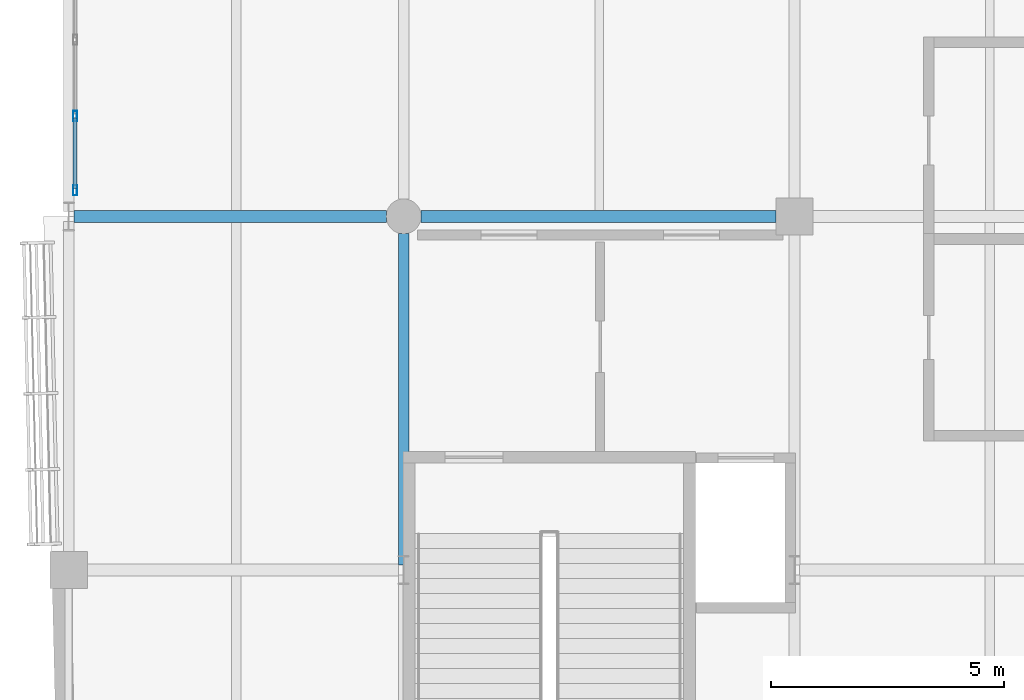
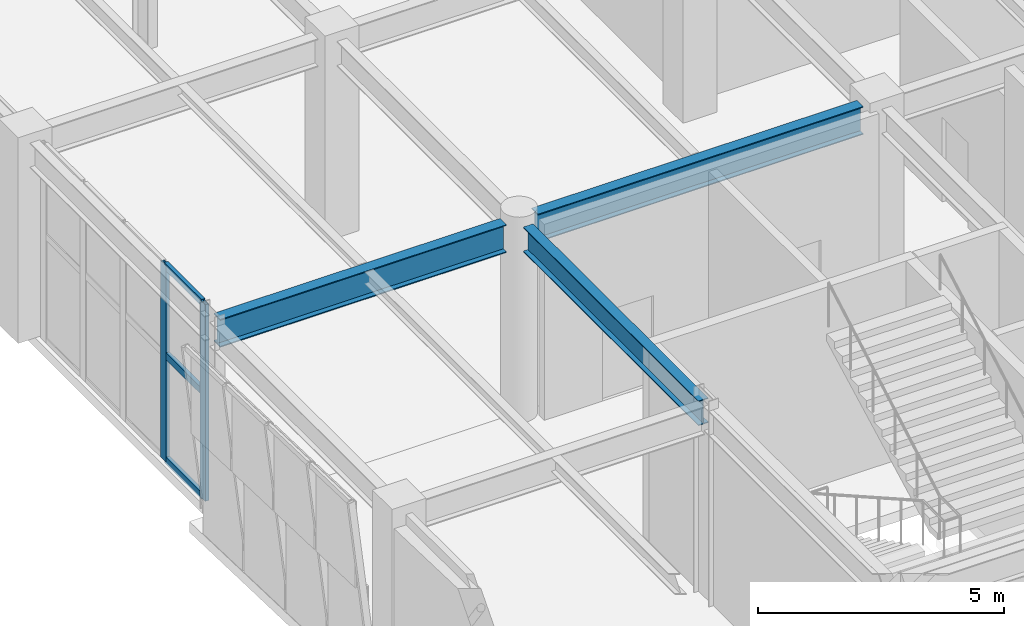
# One storey, part 16 of 128: 5 members, 3 beams, 1 element without a shape of its own.
"""IFC4 building model written with IfcOpenShell, lengths in metres."""

from ifc_helpers import new_model, si_unit, direction, frame, origin, origin_2d, place, context, subcontext, project, spatial, hollow_rectangle, i_section, extrude, material, layer, layer_set, material_profile, profile_set, type_object, element, aggregate, save


model = new_model("IFC4")

# Units and contexts
model_context = context("Model", 3, precision=1e-05, world=origin(), true_north=direction((0.0, 1.0)))
body_context = subcontext(model_context, "Body", "Model", "MODEL_VIEW")
ifc_project = project(units=[si_unit("LENGTHUNIT", "METRE"), si_unit("AREAUNIT", "SQUARE_METRE"), si_unit("VOLUMEUNIT", "CUBIC_METRE"), si_unit("PLANEANGLEUNIT", "RADIAN"), si_unit("MASSUNIT", "GRAM", prefix="KILO")], contexts=[model_context])

# Site, building, storey
site_placement = place(None, origin())
site = spatial("IfcSite", under=ifc_project, at=site_placement, CompositionType="ELEMENT")
building_placement = place(site_placement, origin())
building = spatial("IfcBuilding", under=site, at=building_placement, Name="Xicomal Pleat Aquarium", CompositionType="ELEMENT")
storey_placement = place(building_placement, frame((0.0, 0.0, 5.39990234375)))
storey = spatial("IfcBuildingStorey", under=building, at=storey_placement, Name="L02", CompositionType="ELEMENT", Elevation=5.39990234375)

# Beams
ifc_material_1 = material(Name="Structural steel A992 Gr 50", Category="steel")
ifc_material_profile_1 = material_profile(ifc_material_1, i_section(OverallWidth=0.22998046875, OverallDepth=0.616943359375, WebThickness=0.01318359375, FlangeThickness=0.022216796875, at=origin_2d()), Name="IR 610x140")
ifc_profile_set_1 = profile_set([ifc_material_profile_1], Name="Structural steel A992 Gr 50")
beam_type_1 = type_object("IfcBeamType", Name="BM-STL-IR610", PredefinedType="BEAM", material=ifc_profile_set_1)
beam_1_placement = place(storey_placement, frame((10.199951171875, 30.510009765625, 4.551513671875), z_axis=(0.0, 1.0, 0.0), x_axis=(-1.0, 0.0, 0.0)))
element("IfcBeam", 1, at=beam_1_placement, inside=storey, type_object=beam_type_1, Name="L02 framing beam FGY-L02-02-E-F", PredefinedType="BEAM", context=body_context, shape_type="SweptSolid", body=[
    extrude(i_section(OverallWidth=0.22998046875, OverallDepth=0.616943359375, WebThickness=0.01318359375, FlangeThickness=0.022216796875, at=origin_2d()), origin(), (0.0, 0.0, 1.0), 7.119873046875),
])
ifc_material_2 = material(Name="Structural steel A992 Gr 50", Category="steel")
ifc_material_profile_2 = material_profile(ifc_material_2, i_section(OverallWidth=0.256103515625, OverallDepth=0.693115234375, WebThickness=0.014404296875, FlangeThickness=0.023681640625, at=origin_2d()), Name="IR 690x170")
ifc_profile_set_2 = profile_set([ifc_material_profile_2], Name="Structural steel A992 Gr 50")
beam_type_2 = type_object("IfcBeamType", Name="BM-STL-IR690", PredefinedType="BEAM", material=ifc_profile_set_2)
beam_2_placement = place(storey_placement, frame((3.110107421875, 38.0, 4.513671875), z_axis=(1.0, 0.0, 0.0), x_axis=(0.0, 1.0, 0.0)))
element("IfcBeam", 2, at=beam_2_placement, inside=storey, type_object=beam_type_2, Name="L02 framing beam FGX-L02-01-02-F", PredefinedType="BEAM", context=body_context, shape_type="SweptSolid", body=[
    extrude(i_section(OverallWidth=0.256103515625, OverallDepth=0.693115234375, WebThickness=0.014404296875, FlangeThickness=0.023681640625, at=origin_2d()), origin(), (0.0, 0.0, 1.0), 6.719970703125),
])
beam_3_placement = place(storey_placement, frame((10.570068359375, 38.0, 4.513671875), z_axis=(1.0, 0.0, 0.0), x_axis=(0.0, 1.0, 0.0)))
element("IfcBeam", 3, at=beam_3_placement, inside=storey, type_object=beam_type_2, Name="L02 framing beam FGX-L02-02-03-F", PredefinedType="BEAM", context=body_context, shape_type="SweptSolid", body=[
    extrude(i_section(OverallWidth=0.256103515625, OverallDepth=0.693115234375, WebThickness=0.014404296875, FlangeThickness=0.023681640625, at=origin_2d()), origin(), (0.0, 0.0, 1.0), 7.635009765625),
])

# Curtain wall, members
ifc_material_3 = material(Name="Bronze anodized aluminium 6063-T6", Category="aluminium")
ifc_layer = layer(ifc_material_3, 0.159912109375)
ifc_layer_set = layer_set([ifc_layer], Name="Bronze anodized aluminium 6063-T6")
curtain_wall_type = type_object("IfcCurtainWallType", Name="CW-SYS-12", PredefinedType="NOTDEFINED", material=ifc_layer_set)
curtain_wall_placement = place(storey_placement, origin())
curtain_wall = element("IfcCurtainWall", 4, at=curtain_wall_placement, inside=storey, type_object=curtain_wall_type, Name="L02 unitised curtain wall CW-L02-122", PredefinedType="NOTDEFINED")
ifc_material_4 = material(Name="Bronze anodized aluminium 6063-T6", Category="aluminium")
ifc_material_profile_3 = material_profile(ifc_material_4, hollow_rectangle(XDim=0.0849609375, YDim=0.219970703125, WallThickness=0.0048828125, at=origin_2d()), Name="ALU MULL 85x220")
ifc_profile_set_3 = profile_set([ifc_material_profile_3], Name="Bronze anodized aluminium 6063-T6")
member_type_1 = type_object("IfcMemberType", Name="CWM-85x220", PredefinedType="MULLION", material=ifc_profile_set_3)
member_1_placement = place(storey_placement, frame((3.139892578125, 38.5625, 0.0), z_axis=(0.0, 0.0, 1.0), x_axis=(-1.0, 0.0, 0.0)))
member_1 = element("IfcMember", 5, at=member_1_placement, type_object=member_type_1, Name="CW-12 mullion 1", PredefinedType="MULLION", context=body_context, shape_type="SweptSolid", body=[
    extrude(hollow_rectangle(XDim=0.0849609375, YDim=0.219970703125, WallThickness=0.0048828125, at=origin_2d()), origin(), (0.0, 0.0, 1.0), 4.875),
])
member_2_placement = place(storey_placement, frame((3.139892578125, 40.159912109375, 0.0), z_axis=(0.0, 0.0, 1.0), x_axis=(-1.0, 0.0, 0.0)))
member_2 = element("IfcMember", 6, at=member_2_placement, type_object=member_type_1, Name="CW-12 mullion 2", PredefinedType="MULLION", context=body_context, shape_type="SweptSolid", body=[
    extrude(hollow_rectangle(XDim=0.0849609375, YDim=0.219970703125, WallThickness=0.0048828125, at=origin_2d()), origin(), (0.0, 0.0, 1.0), 4.875),
])
ifc_material_5 = material(Name="Bronze anodized aluminium 6063-T6", Category="aluminium")
ifc_material_profile_4 = material_profile(ifc_material_5, hollow_rectangle(XDim=0.0849609375, YDim=0.169921875, WallThickness=0.0048828125, at=origin_2d()), Name="ALU TRAN 85x170")
ifc_profile_set_4 = profile_set([ifc_material_profile_4], Name="Bronze anodized aluminium 6063-T6")
member_type_2 = type_object("IfcMemberType", Name="CWT-85x170", PredefinedType="USERDEFINED", material=ifc_profile_set_4)
member_3_placement = place(storey_placement, frame((3.139892578125, 38.60498046875, 0.04248046875), z_axis=(0.0, 1.0, 0.0), x_axis=(-1.0, 0.0, 0.0)))
member_3 = element("IfcMember", 7, at=member_3_placement, type_object=member_type_2, Name="CW-12 transom 1.1", ObjectType="TRANSOM", PredefinedType="USERDEFINED", context=body_context, shape_type="SweptSolid", body=[
    extrude(hollow_rectangle(XDim=0.0849609375, YDim=0.169921875, WallThickness=0.0048828125, at=origin_2d()), origin(), (0.0, 0.0, 1.0), 1.512451171875),
])
member_4_placement = place(storey_placement, frame((3.139892578125, 38.60498046875, 2.633056640625), z_axis=(0.0, 1.0, 0.0), x_axis=(-1.0, 0.0, 0.0)))
member_4 = element("IfcMember", 8, at=member_4_placement, type_object=member_type_2, Name="CW-12 transom 1.2", ObjectType="TRANSOM", PredefinedType="USERDEFINED", context=body_context, shape_type="SweptSolid", body=[
    extrude(hollow_rectangle(XDim=0.0849609375, YDim=0.169921875, WallThickness=0.0048828125, at=origin_2d()), origin(), (0.0, 0.0, 1.0), 1.512451171875),
])
member_5_placement = place(storey_placement, frame((3.139892578125, 38.60498046875, 4.83251953125), z_axis=(0.0, 1.0, 0.0), x_axis=(-1.0, 0.0, 0.0)))
member_5 = element("IfcMember", 9, at=member_5_placement, type_object=member_type_2, Name="CW-12 transom 1.3", ObjectType="TRANSOM", PredefinedType="USERDEFINED", context=body_context, shape_type="SweptSolid", body=[
    extrude(hollow_rectangle(XDim=0.0849609375, YDim=0.169921875, WallThickness=0.0048828125, at=origin_2d()), origin(), (0.0, 0.0, 1.0), 1.512451171875),
])
aggregate(curtain_wall, [member_1, member_2, member_3, member_4, member_5])

save(model, "model.ifc")
